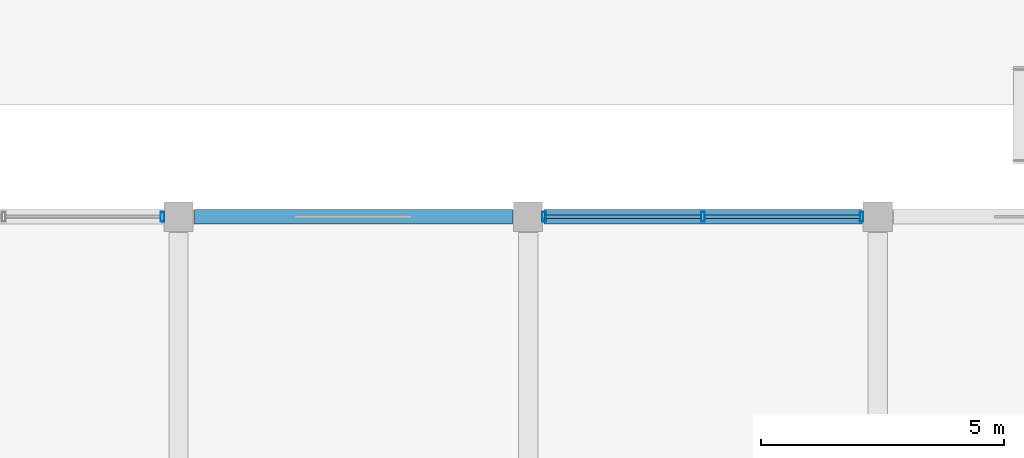
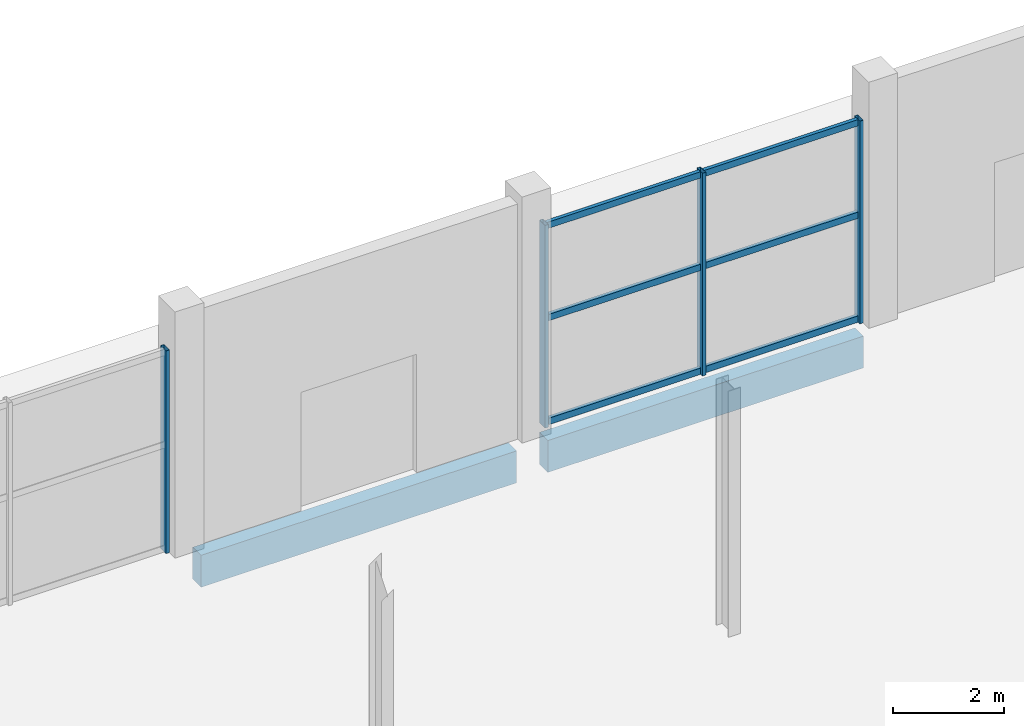
# One storey, part 28 of 90: 10 members, 2 beams, 2 elements without a shape of their own.
"""IFC4 building model written with IfcOpenShell, lengths in metres."""

from ifc_helpers import new_model, si_unit, direction, frame, origin, origin_2d, place, context, subcontext, project, spatial, rectangle, hollow_rectangle, extrude, material, layer, layer_set, material_profile, profile_set, type_object, element, aggregate, save


model = new_model("IFC4")

# Units and contexts
model_context = context("Model", 3, precision=1e-05, world=origin(), true_north=direction((0.0, 1.0)))
body_context = subcontext(model_context, "Body", "Model", "MODEL_VIEW")
ifc_project = project(units=[si_unit("LENGTHUNIT", "METRE"), si_unit("AREAUNIT", "SQUARE_METRE"), si_unit("VOLUMEUNIT", "CUBIC_METRE"), si_unit("PLANEANGLEUNIT", "RADIAN"), si_unit("MASSUNIT", "GRAM", prefix="KILO")], contexts=[model_context])

# Site, building, storey
site_placement = place(None, origin())
site = spatial("IfcSite", under=ifc_project, at=site_placement, CompositionType="ELEMENT")
building_placement = place(site_placement, origin())
building = spatial("IfcBuilding", under=site, at=building_placement, Name="Kangsadwip Square Police Headquarters", CompositionType="ELEMENT")
storey_placement = place(building_placement, origin())
storey = spatial("IfcBuildingStorey", under=building, at=storey_placement, Name="L00", CompositionType="ELEMENT", Elevation=0.0)

# Curtain wall, member
ifc_material_1 = material(Name="Thermally broken anodised aluminium AW-6063-T6", Category="aluminium")
ifc_layer = layer(ifc_material_1, 0.159912109375)
ifc_layer_set = layer_set([ifc_layer], Name="Thermally broken anodised aluminium AW-6063-T6")
curtain_wall_type = type_object("IfcCurtainWallType", Name="UnitisedCw6610x4450", PredefinedType="NOTDEFINED", material=ifc_layer_set)
curtain_wall_1_placement = place(storey_placement, origin())
curtain_wall_1 = element("IfcCurtainWall", 1, at=curtain_wall_1_placement, inside=storey, type_object=curtain_wall_type, Name="Curtain Wall CW-L00-0579-1152", PredefinedType="NOTDEFINED")
ifc_material_2 = material(Name="Thermally broken anodised aluminium AW-6063-T6", Category="aluminium")
ifc_material_profile_1 = material_profile(ifc_material_2, hollow_rectangle(XDim=0.074951171875, YDim=0.199951171875, WallThickness=0.0048828125, at=origin_2d()), Name="CWM 200X75X5")
ifc_profile_set_1 = profile_set([ifc_material_profile_1], Name="Thermally broken anodised aluminium AW-6063-T6")
member_type_1 = type_object("IfcMemberType", Name="CwMullion180x75", PredefinedType="MULLION", material=ifc_profile_set_1)
member_1_placement = place(storey_placement, frame((64.467529296875, 115.199951171875, 0.0), z_axis=(0.0, 0.0, 1.0), x_axis=(1.0, 0.0, 0.0)))
member_1 = element("IfcMember", 2, at=member_1_placement, type_object=member_type_1, Name="CW-08 mullion 3", PredefinedType="MULLION", context=body_context, shape_type="SweptSolid", body=[
    extrude(hollow_rectangle(XDim=0.074951171875, YDim=0.199951171875, WallThickness=0.0048828125, at=origin_2d()), origin(), (0.0, 0.0, 1.0), 4.449951171875),
])
aggregate(curtain_wall_1, [member_1])

# Curtain wall, members
curtain_wall_2_placement = place(storey_placement, origin())
curtain_wall_2 = element("IfcCurtainWall", 3, at=curtain_wall_2_placement, inside=storey, type_object=curtain_wall_type, Name="Curtain Wall CW-L00-0723-1152", PredefinedType="NOTDEFINED")
member_2_placement = place(storey_placement, frame((72.33251953125, 115.199951171875, 0.0), z_axis=(0.0, 0.0, 1.0), x_axis=(1.0, 0.0, 0.0)))
member_2 = element("IfcMember", 4, at=member_2_placement, type_object=member_type_1, Name="CW-08 mullion 1", PredefinedType="MULLION", context=body_context, shape_type="SweptSolid", body=[
    extrude(hollow_rectangle(XDim=0.074951171875, YDim=0.199951171875, WallThickness=0.0048828125, at=origin_2d()), origin(), (0.0, 0.0, 1.0), 4.449951171875),
])
member_3_placement = place(storey_placement, frame((75.60009765625, 115.199951171875, 0.0), z_axis=(0.0, 0.0, 1.0), x_axis=(1.0, 0.0, 0.0)))
member_3 = element("IfcMember", 5, at=member_3_placement, type_object=member_type_1, Name="CW-08 mullion 2", PredefinedType="MULLION", context=body_context, shape_type="SweptSolid", body=[
    extrude(hollow_rectangle(XDim=0.074951171875, YDim=0.199951171875, WallThickness=0.0048828125, at=origin_2d()), origin(), (0.0, 0.0, 1.0), 4.449951171875),
])
member_4_placement = place(storey_placement, frame((78.867431640625, 115.199951171875, 0.0), z_axis=(0.0, 0.0, 1.0), x_axis=(1.0, 0.0, 0.0)))
member_4 = element("IfcMember", 6, at=member_4_placement, type_object=member_type_1, Name="CW-08 mullion 3", PredefinedType="MULLION", context=body_context, shape_type="SweptSolid", body=[
    extrude(hollow_rectangle(XDim=0.074951171875, YDim=0.199951171875, WallThickness=0.0048828125, at=origin_2d()), origin(), (0.0, 0.0, 1.0), 4.449951171875),
])
ifc_material_3 = material(Name="Thermally broken anodised aluminium AW-6063-T6", Category="aluminium")
ifc_material_profile_2 = material_profile(ifc_material_3, hollow_rectangle(XDim=0.074951171875, YDim=0.139892578125, WallThickness=0.0048828125, at=origin_2d()), Name="CWT 140X75X5")
ifc_profile_set_2 = profile_set([ifc_material_profile_2], Name="Thermally broken anodised aluminium AW-6063-T6")
member_type_2 = type_object("IfcMemberType", Name="CwTransom160x65", PredefinedType="USERDEFINED", material=ifc_profile_set_2)
member_5_placement = place(storey_placement, frame((72.3701171875, 115.199951171875, 0.070068359375), z_axis=(1.0, 0.0, 0.0), x_axis=(0.0, 1.0, 0.0)))
member_5 = element("IfcMember", 7, at=member_5_placement, type_object=member_type_2, Name="CW-08 transom 1.1", ObjectType="TRANSOM", PredefinedType="USERDEFINED", context=body_context, shape_type="SweptSolid", body=[
    extrude(hollow_rectangle(XDim=0.074951171875, YDim=0.139892578125, WallThickness=0.0048828125, at=origin_2d()), origin(), (0.0, 0.0, 1.0), 3.1923828125),
])
member_6_placement = place(storey_placement, frame((72.3701171875, 115.199951171875, 2.35009765625), z_axis=(1.0, 0.0, 0.0), x_axis=(0.0, 1.0, 0.0)))
member_6 = element("IfcMember", 8, at=member_6_placement, type_object=member_type_2, Name="CW-08 transom 1.2", ObjectType="TRANSOM", PredefinedType="USERDEFINED", context=body_context, shape_type="SweptSolid", body=[
    extrude(hollow_rectangle(XDim=0.074951171875, YDim=0.139892578125, WallThickness=0.0048828125, at=origin_2d()), origin(), (0.0, 0.0, 1.0), 3.1923828125),
])
member_7_placement = place(storey_placement, frame((72.3701171875, 115.199951171875, 4.3798828125), z_axis=(1.0, 0.0, 0.0), x_axis=(0.0, 1.0, 0.0)))
member_7 = element("IfcMember", 9, at=member_7_placement, type_object=member_type_2, Name="CW-08 transom 1.3", ObjectType="TRANSOM", PredefinedType="USERDEFINED", context=body_context, shape_type="SweptSolid", body=[
    extrude(hollow_rectangle(XDim=0.074951171875, YDim=0.139892578125, WallThickness=0.0048828125, at=origin_2d()), origin(), (0.0, 0.0, 1.0), 3.1923828125),
])
member_8_placement = place(storey_placement, frame((75.637451171875, 115.199951171875, 0.070068359375), z_axis=(1.0, 0.0, 0.0), x_axis=(0.0, 1.0, 0.0)))
member_8 = element("IfcMember", 10, at=member_8_placement, type_object=member_type_2, Name="CW-08 transom 2.1", ObjectType="TRANSOM", PredefinedType="USERDEFINED", context=body_context, shape_type="SweptSolid", body=[
    extrude(hollow_rectangle(XDim=0.074951171875, YDim=0.139892578125, WallThickness=0.0048828125, at=origin_2d()), origin(), (0.0, 0.0, 1.0), 3.192626953125),
])
member_9_placement = place(storey_placement, frame((75.637451171875, 115.199951171875, 2.35009765625), z_axis=(1.0, 0.0, 0.0), x_axis=(0.0, 1.0, 0.0)))
member_9 = element("IfcMember", 11, at=member_9_placement, type_object=member_type_2, Name="CW-08 transom 2.2", ObjectType="TRANSOM", PredefinedType="USERDEFINED", context=body_context, shape_type="SweptSolid", body=[
    extrude(hollow_rectangle(XDim=0.074951171875, YDim=0.139892578125, WallThickness=0.0048828125, at=origin_2d()), origin(), (0.0, 0.0, 1.0), 3.192626953125),
])
member_10_placement = place(storey_placement, frame((75.637451171875, 115.199951171875, 4.3798828125), z_axis=(1.0, 0.0, 0.0), x_axis=(0.0, 1.0, 0.0)))
member_10 = element("IfcMember", 12, at=member_10_placement, type_object=member_type_2, Name="CW-08 transom 2.3", ObjectType="TRANSOM", PredefinedType="USERDEFINED", context=body_context, shape_type="SweptSolid", body=[
    extrude(hollow_rectangle(XDim=0.074951171875, YDim=0.139892578125, WallThickness=0.0048828125, at=origin_2d()), origin(), (0.0, 0.0, 1.0), 3.192626953125),
])
aggregate(curtain_wall_2, [member_2, member_3, member_4, member_5, member_6, member_7, member_8, member_9, member_10])

# Beams
ifc_material_4 = material(Name="Concrete M40 (40 MPa)", Category="concrete")
ifc_material_profile_3 = material_profile(ifc_material_4, rectangle(XDim=0.300048828125, YDim=0.699951171875, at=origin_2d()), Name="RC SPN 700X300")
ifc_profile_set_3 = profile_set([ifc_material_profile_3], Name="Concrete M40 (40 MPa)")
beam_type = type_object("IfcBeamType", Name="RcSpandrel700x300", PredefinedType="SPANDREL", material=ifc_profile_set_3)
for number, where, z_axis, x_axis, name in (
    (13, (65.125, 115.199951171875, -0.60009765625), (1.0, 0.0, 0.0), (0.0, 1.0, 0.0), "Beam BM-L00-X-09-16"),
    (14, (72.324951171875, 115.199951171875, -0.60009765625), (1.0, 0.0, 0.0), (0.0, 1.0, 0.0), "Beam BM-L00-X-10-16"),
):
    element("IfcBeam", number, at=place(storey_placement, frame(where, z_axis=z_axis, x_axis=x_axis)), inside=storey, type_object=beam_type, Name=name, PredefinedType="SPANDREL", context=body_context, shape_type="SweptSolid", body=[
        extrude(rectangle(XDim=0.300048828125, YDim=0.699951171875, at=origin_2d()), origin(), (0.0, 0.0, 1.0), 6.550048828125),
    ])

save(model, "model.ifc")
